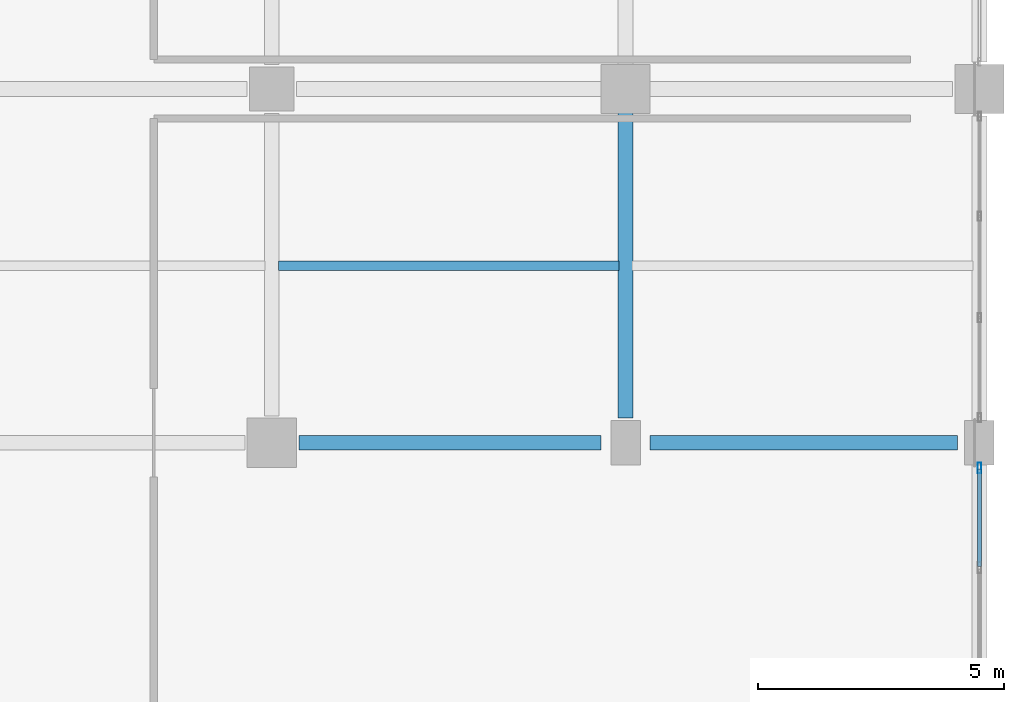
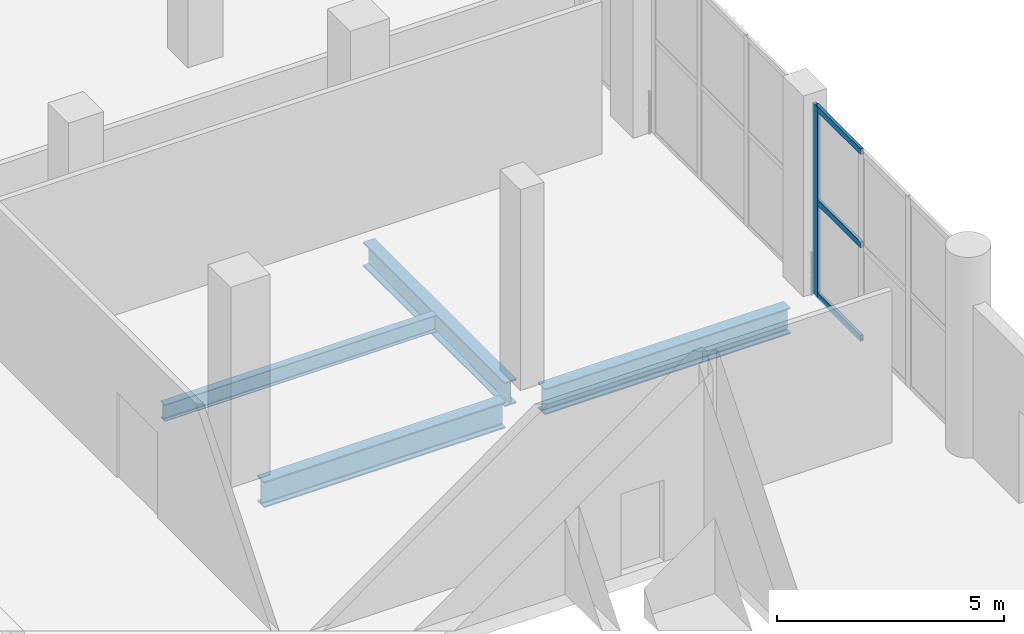
# One storey, part 17 of 58: 4 beams, 4 members, 1 element without a shape of its own.
"""IFC4 building model written with IfcOpenShell, lengths in metres."""

import ifcopenshell
import ifcopenshell.guid

model = None  # the IFC model being written
_history = None  # IfcOwnerHistory: only IFC2X3 demands one
_inside = {}  # id of a spatial element -> (the spatial element, [elements in it])
_under = {}  # id of a project, library or spatial element -> (it, [spatial elements below it])
_declared = {}  # id of a project -> (the project, [libraries it declares])
_typed = {}  # id of a type object -> (the type object, [elements of that type])
_made_of = {}  # id of a material, layer set ... -> (it, [elements and type objects made of it])


def new_model(schema):
    """Start an empty IFC model of exactly this schema.

    Asked for "IFC4X3", IfcOpenShell would pick the latest addendum, in which some entities
    have other attributes; the version numbers below select the first issue.
    IFC2X3 requires an IfcOwnerHistory on every rooted entity: one is made here for all.
    """
    global model, _history
    if schema == "IFC4X3":
        model = ifcopenshell.file(schema_version=(4, 3, 0, 0))
    else:
        model = ifcopenshell.file(schema=schema)
    _inside.clear()
    _under.clear()
    _declared.clear()
    _typed.clear()
    _made_of.clear()
    _history = None
    if model.schema == "IFC2X3":
        org = make("IfcOrganization", Name="unknown")
        user = make(
            "IfcPersonAndOrganization",
            ThePerson=make("IfcPerson", FamilyName="unknown"),
            TheOrganization=org,
        )
        app = make(
            "IfcApplication",
            ApplicationDeveloper=org,
            Version="unknown",
            ApplicationFullName="unknown",
            ApplicationIdentifier="unknown",
        )
        _history = make(
            "IfcOwnerHistory",
            OwningUser=user,
            OwningApplication=app,
            ChangeAction="ADDED",
            CreationDate=0,
        )
    return model


def make(cls, **values):
    """One entity of the class cls with the attributes given. An attribute that is None is left unset."""
    return model.create_entity(
        cls, **{name: value for name, value in values.items() if value is not None}
    )


def rooted(cls, **values):
    """An entity with a GlobalId (a new one), such as an element, a storey or a relation."""
    return make(cls, GlobalId=ifcopenshell.guid.new(), OwnerHistory=_history, **values)


def si_unit(unit_type, name, prefix=None):
    """IfcSIUnit, for example si_unit("LENGTHUNIT", "METRE", prefix="MILLI")."""
    return make("IfcSIUnit", UnitType=unit_type, Prefix=prefix, Name=name)


def assignment(units):
    """IfcUnitAssignment: the units of a project."""
    return None if units is None else make("IfcUnitAssignment", Units=units)


def point(xyz):
    """IfcCartesianPoint."""
    return None if xyz is None else make("IfcCartesianPoint", Coordinates=xyz)


def direction(xyz):
    """IfcDirection."""
    return None if xyz is None else make("IfcDirection", DirectionRatios=xyz)


def frame(location, z_axis=None, x_axis=None):
    """IfcAxis2Placement3D, a coordinate frame: its origin and axes. An axis left out is left unset."""
    return make(
        "IfcAxis2Placement3D",
        Location=point(location),
        Axis=direction(z_axis),
        RefDirection=direction(x_axis),
    )


def frame_2d(location, x_axis=None):
    """IfcAxis2Placement2D, a coordinate frame in the plane: its origin and x axis."""
    return make(
        "IfcAxis2Placement2D", Location=point(location), RefDirection=direction(x_axis)
    )


def origin():
    """The frame at (0, 0, 0) with its axes left unset."""
    return frame((0.0, 0.0, 0.0))


def origin_2d():
    """The frame at (0, 0) in the plane with its x axis left unset."""
    return frame_2d((0.0, 0.0))


def place(relative_to, where):
    """IfcLocalPlacement: puts the frame where relative to a parent placement (None: the world)."""
    return make(
        "IfcLocalPlacement", PlacementRelTo=relative_to, RelativePlacement=where
    )


def context(
    kind, dimensions, precision=None, world=None, true_north=None, identifier=None
):
    """IfcGeometricRepresentationContext, for example the 3D "Model" context."""
    return make(
        "IfcGeometricRepresentationContext",
        ContextIdentifier=identifier,
        ContextType=kind,
        CoordinateSpaceDimension=dimensions,
        Precision=precision,
        WorldCoordinateSystem=world,
        TrueNorth=true_north,
    )


def subcontext(parent, identifier, kind, view, scale=None):
    """IfcGeometricRepresentationSubContext, for example "Body" below "Model"."""
    return make(
        "IfcGeometricRepresentationSubContext",
        ContextIdentifier=identifier,
        ContextType=kind,
        ParentContext=parent,
        TargetScale=scale,
        TargetView=view,
    )


def project(units=None, contexts=None):
    """IfcProject with its units and contexts."""
    return rooted(
        "IfcProject",
        Name="project",
        RepresentationContexts=contexts,
        UnitsInContext=assignment(units),
    )


def spatial(cls, under=None, at=None, **own):
    """A site, building, storey or space (cls), placed at a placement, below another one or the project."""
    s = rooted(cls, ObjectPlacement=at, **own)
    if under is not None:
        _under.setdefault(under.id(), (under, []))[1].append(s)
    return s


def profile(cls, at=None, kind="AREA", **sizes):
    """A parametric profile (cls). Its sizes go by their IFC names, for example OverallWidth=200.0."""
    return make(cls, ProfileType=kind, Position=at, **sizes)


def hollow_rectangle(**sizes):
    """IfcRectangleHollowProfileDef."""
    return profile("IfcRectangleHollowProfileDef", **sizes)


def i_section(**sizes):
    """IfcIShapeProfileDef."""
    return profile("IfcIShapeProfileDef", **sizes)


def extrude(swept, where, along, depth):
    """IfcExtrudedAreaSolid: the profile swept, set in the frame where, extruded along a direction by depth."""
    return make(
        "IfcExtrudedAreaSolid",
        SweptArea=swept,
        Position=where,
        ExtrudedDirection=direction(along),
        Depth=depth,
    )


def shape(context_of_items, identifier, shape_type, items):
    """IfcShapeRepresentation: the items that make up one representation, for example the "Body"."""
    return make(
        "IfcShapeRepresentation",
        ContextOfItems=context_of_items,
        RepresentationIdentifier=identifier,
        RepresentationType=shape_type,
        Items=items,
    )


def material(Name=None, Category=None):
    """IfcMaterial."""
    return make("IfcMaterial", Name=Name, Category=Category)


def material_profile(
    of_material, cross_section, Name=None, Category=None, Priority=None
):
    """IfcMaterialProfile: a cross section and its material."""
    return make(
        "IfcMaterialProfile",
        Name=Name,
        Material=of_material,
        Profile=cross_section,
        Priority=Priority,
        Category=Category,
    )


def profile_set(profiles, Name=None, composite=None):
    """IfcMaterialProfileSet."""
    return make(
        "IfcMaterialProfileSet",
        Name=Name,
        MaterialProfiles=profiles,
        CompositeProfile=composite,
    )


def made_of(thing, what):
    """Note that an element or type object is made of a material, layer set ...; save() writes the relation."""
    if what is not None:
        _made_of.setdefault(what.id(), (what, []))[1].append(thing)
    return thing


def type_object(cls, material=None, **own):
    """A type object (cls), such as IfcWallType, which elements share."""
    return made_of(rooted(cls, **own), material)


def element(
    cls,
    number,
    at=None,
    inside=None,
    cuts=None,
    type_object=None,
    material=None,
    context=None,
    identifier="Body",
    shape_type=None,
    held_by="IfcProductDefinitionShape",
    body=None,
    shapes=None,
    **own,
):
    """One element of the class cls, such as IfcWall. Its Tag is "e" and its number.

    at: its placement. inside: the storey or other place that contains it. cuts: it is an
    opening in that element (IfcRelVoidsElement). A single representation is given by context,
    identifier, shape_type and body (its items); several are given by shapes. held_by: the class
    of the entity that holds the representations. save() writes the other relations.
    """
    e = rooted(cls, Tag="e%d" % number, ObjectPlacement=at, **own)
    if body is not None:
        shapes = [shape(context, identifier, shape_type, body)]
    if shapes is not None:
        e.Representation = make(held_by, Representations=shapes)
    if inside is not None:
        _inside.setdefault(inside.id(), (inside, []))[1].append(e)
    if cuts is not None:
        rooted(
            "IfcRelVoidsElement", RelatingBuildingElement=cuts, RelatedOpeningElement=e
        )
    if type_object is not None:
        _typed.setdefault(type_object.id(), (type_object, []))[1].append(e)
    return made_of(e, material)


def aggregate(whole, parts):
    """IfcRelAggregates: a whole, such as a stair, and the parts it consists of."""
    return rooted("IfcRelAggregates", RelatingObject=whole, RelatedObjects=parts)


def save(model, path):
    """Write the relations noted so far, then the file.

    IfcRelAggregates (storeys below a building ...), IfcRelContainedInSpatialStructure (elements
    in a storey), IfcRelDefinesByType, IfcRelAssociatesMaterial and IfcRelDeclares: one each for
    every whole, place, type object, material and project.
    """
    for whole, parts in _under.values():
        aggregate(whole, parts)
    for where, things in _inside.values():
        rooted(
            "IfcRelContainedInSpatialStructure",
            RelatedElements=things,
            RelatingStructure=where,
        )
    for kind, things in _typed.values():
        rooted("IfcRelDefinesByType", RelatedObjects=things, RelatingType=kind)
    for what, things in _made_of.values():
        rooted("IfcRelAssociatesMaterial", RelatedObjects=things, RelatingMaterial=what)
    for by, libraries in _declared.values():
        rooted("IfcRelDeclares", RelatingContext=by, RelatedDefinitions=libraries)
    model.write(path)


model = new_model("IFC4")

# Units and contexts
model_context = context("Model", 3, precision=1e-05, world=origin(), true_north=direction((0.0, 1.0)))
body_context = subcontext(model_context, "Body", "Model", "MODEL_VIEW")
ifc_project = project(units=[si_unit("LENGTHUNIT", "METRE"), si_unit("AREAUNIT", "SQUARE_METRE"), si_unit("VOLUMEUNIT", "CUBIC_METRE"), si_unit("PLANEANGLEUNIT", "RADIAN"), si_unit("MASSUNIT", "GRAM", prefix="KILO")], contexts=[model_context])

# Site, building, storey
site_placement = place(None, origin())
site = spatial("IfcSite", under=ifc_project, at=site_placement, CompositionType="ELEMENT")
building_placement = place(site_placement, origin())
building = spatial("IfcBuilding", under=site, at=building_placement, Name="Qandorah Velis Arena", CompositionType="ELEMENT")
storey_placement = place(building_placement, origin())
storey = spatial("IfcBuildingStorey", under=building, at=storey_placement, Name="L00", CompositionType="ELEMENT", Elevation=0.0)

# Curtain wall, members
ifc_material_1 = material(Name="Solar-control low-E double glazing", Category="glass")
curtain_wall_type = type_object("IfcCurtainWallType", Name="ARC-CW-SYS13", PredefinedType="USERDEFINED", material=ifc_material_1)
curtain_wall_placement = place(storey_placement, origin())
curtain_wall = element("IfcCurtainWall", 1, at=curtain_wall_placement, inside=storey, type_object=curtain_wall_type, Name="Unitised curtain wall L00-133", ObjectType="UNITISED CURTAIN WALL", PredefinedType="USERDEFINED")
ifc_material_2 = material(Name="Champagne-bronze anodized aluminium 6063-T6", Category="aluminium")
ifc_material_profile_1 = material_profile(ifc_material_2, hollow_rectangle(XDim=0.074951171875, YDim=0.219970703125, WallThickness=0.00390625, at=origin_2d()), Name="ALU MULLION 75x220")
ifc_profile_set_1 = profile_set([ifc_material_profile_1], Name="Champagne-bronze anodized aluminium 6063-T6")
member_type_1 = type_object("IfcMemberType", Name="ARC-CWM-220", PredefinedType="MULLION", material=ifc_profile_set_1)
member_1_placement = place(storey_placement, frame((172.800048828125, 57.08740234375, -0.014892578125), z_axis=(0.0, 0.0, 1.0), x_axis=(-1.0, 0.0, 0.0)))
member_1 = element("IfcMember", 2, at=member_1_placement, type_object=member_type_1, Name="CW13 mullion 4", PredefinedType="MULLION", context=body_context, shape_type="SweptSolid", body=[
    extrude(hollow_rectangle(XDim=0.074951171875, YDim=0.219970703125, WallThickness=0.00390625, at=origin_2d()), origin(), (0.0, 0.0, 1.0), 5.1298828125),
])
ifc_material_profile_2 = material_profile(ifc_material_2, hollow_rectangle(XDim=0.074951171875, YDim=0.159912109375, WallThickness=0.00341796875, at=origin_2d()), Name="ALU TRANSOM 75x160")
ifc_profile_set_2 = profile_set([ifc_material_profile_2], Name="Champagne-bronze anodized aluminium 6063-T6")
member_type_2 = type_object("IfcMemberType", Name="ARC-CWT-160", PredefinedType="USERDEFINED", material=ifc_profile_set_2)
member_2_placement = place(storey_placement, frame((172.800048828125, 55.083740234375, 0.03759765625), z_axis=(0.0, 1.0, 0.0), x_axis=(-1.0, 0.0, 0.0)))
member_2 = element("IfcMember", 3, at=member_2_placement, type_object=member_type_2, Name="CW13 transom 3.1", ObjectType="TRANSOM", PredefinedType="USERDEFINED", context=body_context, shape_type="SweptSolid", body=[
    extrude(hollow_rectangle(XDim=0.074951171875, YDim=0.159912109375, WallThickness=0.00341796875, at=origin_2d()), origin(), (0.0, 0.0, 1.0), 1.978271484375),
])
member_3_placement = place(storey_placement, frame((172.800048828125, 55.083740234375, 2.550048828125), z_axis=(0.0, 1.0, 0.0), x_axis=(-1.0, 0.0, 0.0)))
member_3 = element("IfcMember", 4, at=member_3_placement, type_object=member_type_2, Name="CW13 transom 3.2", ObjectType="TRANSOM", PredefinedType="USERDEFINED", context=body_context, shape_type="SweptSolid", body=[
    extrude(hollow_rectangle(XDim=0.074951171875, YDim=0.159912109375, WallThickness=0.00341796875, at=origin_2d()), origin(), (0.0, 0.0, 1.0), 1.978271484375),
])
member_4_placement = place(storey_placement, frame((172.800048828125, 55.083740234375, 5.0625), z_axis=(0.0, 1.0, 0.0), x_axis=(-1.0, 0.0, 0.0)))
member_4 = element("IfcMember", 5, at=member_4_placement, type_object=member_type_2, Name="CW13 transom 3.3", ObjectType="TRANSOM", PredefinedType="USERDEFINED", context=body_context, shape_type="SweptSolid", body=[
    extrude(hollow_rectangle(XDim=0.074951171875, YDim=0.159912109375, WallThickness=0.00341796875, at=origin_2d()), origin(), (0.0, 0.0, 1.0), 1.978271484375),
])
aggregate(curtain_wall, [member_1, member_2, member_3, member_4])

# Beams
ifc_material_3 = material(Name="Steel S355", Category="steel")
ifc_material_profile_3 = material_profile(ifc_material_3, i_section(OverallWidth=0.300048828125, OverallDepth=0.64990234375, WebThickness=0.01611328125, FlangeThickness=0.031005859375, FilletRadius=0.027099609375, at=origin_2d()), Name="HEB 650")
ifc_profile_set_3 = profile_set([ifc_material_profile_3], Name="Steel S355")
beam_type_1 = type_object("IfcBeamType", Name="STR-BM-HEB650", PredefinedType="BEAM", material=ifc_profile_set_3)
beam_1_placement = place(storey_placement, frame((165.60009765625, 58.10009765625, -0.7451171875), z_axis=(0.0, 1.0, 0.0), x_axis=(-1.0, 0.0, 0.0)))
element("IfcBeam", 6, at=beam_1_placement, inside=storey, type_object=beam_type_1, Name="Primary floor girder L00 Y-517", PredefinedType="BEAM", context=body_context, shape_type="SweptSolid", body=[
    extrude(i_section(OverallWidth=0.300048828125, OverallDepth=0.64990234375, WebThickness=0.01611328125, FlangeThickness=0.031005859375, FilletRadius=0.027099609375, at=origin_2d()), origin(), (0.0, 0.0, 1.0), 6.25),
])
ifc_material_profile_4 = material_profile(ifc_material_3, i_section(OverallWidth=0.300048828125, OverallDepth=0.699951171875, WebThickness=0.01708984375, FlangeThickness=0.031982421875, FilletRadius=0.027099609375, at=origin_2d()), Name="HEB 700")
ifc_profile_set_4 = profile_set([ifc_material_profile_4], Name="Steel S355")
beam_type_2 = type_object("IfcBeamType", Name="STR-BM-HEB700", PredefinedType="BEAM", material=ifc_profile_set_4)
beam_2_placement = place(storey_placement, frame((158.949951171875, 57.60009765625, -0.77001953125), z_axis=(1.0, 0.0, 0.0), x_axis=(0.0, 1.0, 0.0)))
element("IfcBeam", 7, at=beam_2_placement, inside=storey, type_object=beam_type_2, Name="Primary floor girder L00 X-129", PredefinedType="BEAM", context=body_context, shape_type="SweptSolid", body=[
    extrude(i_section(OverallWidth=0.300048828125, OverallDepth=0.699951171875, WebThickness=0.01708984375, FlangeThickness=0.031982421875, FilletRadius=0.027099609375, at=origin_2d()), origin(), (0.0, 0.0, 1.0), 6.150146484375),
])
beam_3_placement = place(storey_placement, frame((166.10009765625, 57.60009765625, -0.77001953125), z_axis=(1.0, 0.0, 0.0), x_axis=(0.0, 1.0, 0.0)))
element("IfcBeam", 8, at=beam_3_placement, inside=storey, type_object=beam_type_2, Name="Primary floor girder L00 X-130", PredefinedType="BEAM", context=body_context, shape_type="SweptSolid", body=[
    extrude(i_section(OverallWidth=0.300048828125, OverallDepth=0.699951171875, WebThickness=0.01708984375, FlangeThickness=0.031982421875, FilletRadius=0.027099609375, at=origin_2d()), origin(), (0.0, 0.0, 1.0), 6.25),
])
ifc_material_profile_5 = material_profile(ifc_material_3, i_section(OverallWidth=0.18994140625, OverallDepth=0.449951171875, WebThickness=0.009521484375, FlangeThickness=0.0146484375, FilletRadius=0.02099609375, at=origin_2d()), Name="IPE 450")
ifc_profile_set_5 = profile_set([ifc_material_profile_5], Name="Steel S355")
beam_type_3 = type_object("IfcBeamType", Name="STR-JST-IPE450", PredefinedType="JOIST", material=ifc_profile_set_5)
beam_4_placement = place(storey_placement, frame((158.534912109375, 61.199951171875, -0.64501953125), z_axis=(1.0, 0.0, 0.0), x_axis=(0.0, 1.0, 0.0)))
element("IfcBeam", 9, at=beam_4_placement, inside=storey, type_object=beam_type_3, Name="Secondary floor joist L00-197", PredefinedType="JOIST", context=body_context, shape_type="SweptSolid", body=[
    extrude(i_section(OverallWidth=0.18994140625, OverallDepth=0.449951171875, WebThickness=0.009521484375, FlangeThickness=0.0146484375, FilletRadius=0.02099609375, at=origin_2d()), origin(), (0.0, 0.0, 1.0), 6.93017578125),
])

save(model, "model.ifc")
